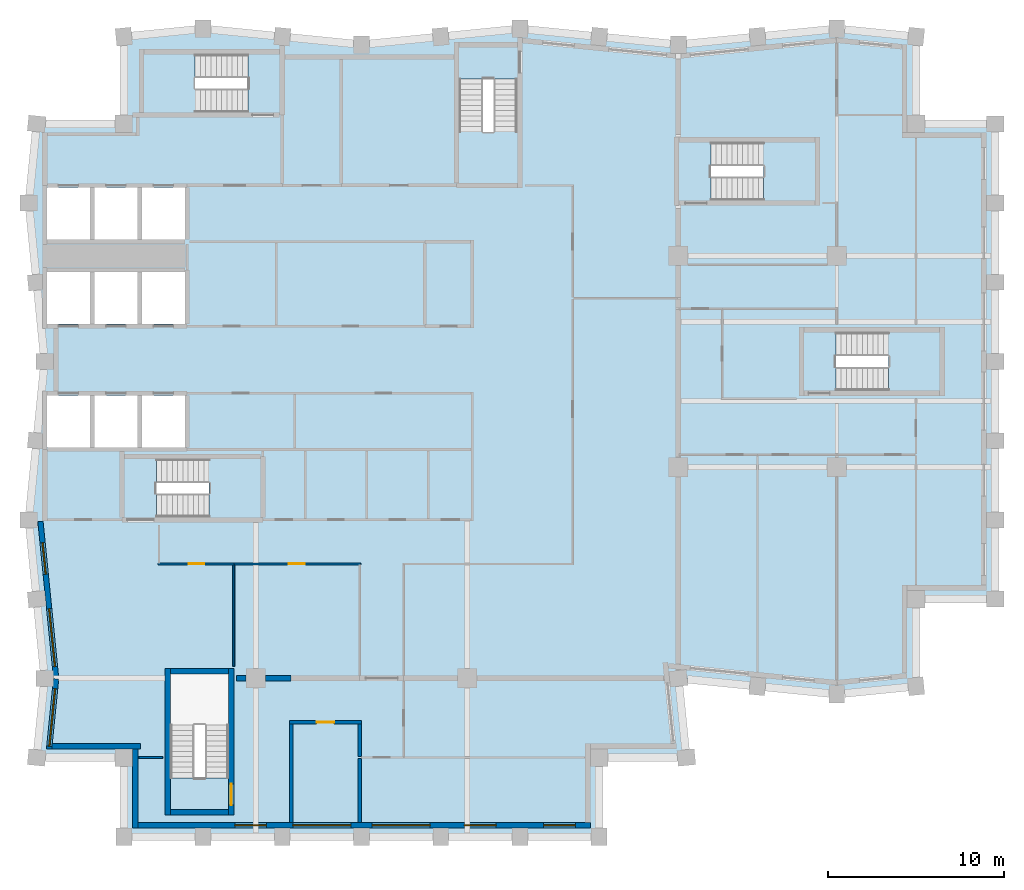
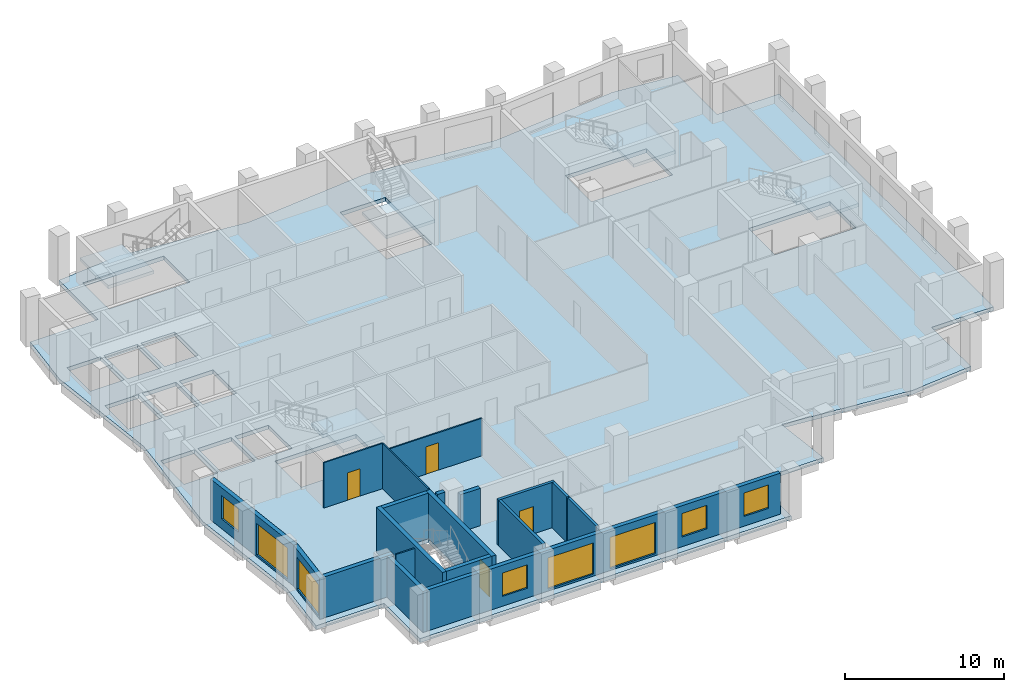
# One storey, part 2 of 8: 19 walls, 8 windows, 6 slabs, 4 doors, 12 openings, 5 elements without a shape of their own.
"""IFC4 building model written with IfcOpenShell, lengths in metres."""

from ifc_helpers import new_model, si_unit, direction, frame, frame_2d, origin, place, context, subcontext, project, spatial, polyline, rectangle, outline, extrude, material, layer, layer_set, type_object, element, fill, aggregate, save


model = new_model("IFC4")

# Units and contexts
model_context = context("Model", 3, precision=1e-05, world=origin(), true_north=direction((0.0, 1.0)))
body_context = subcontext(model_context, "Body", "Model", "MODEL_VIEW")
ifc_project = project(units=[si_unit("LENGTHUNIT", "METRE"), si_unit("AREAUNIT", "SQUARE_METRE"), si_unit("VOLUMEUNIT", "CUBIC_METRE"), si_unit("PLANEANGLEUNIT", "RADIAN"), si_unit("MASSUNIT", "GRAM", prefix="KILO")], contexts=[model_context])

# Site, building, storey
site_placement = place(None, origin())
site = spatial("IfcSite", under=ifc_project, at=site_placement, CompositionType="ELEMENT")
building_placement = place(site_placement, origin())
building = spatial("IfcBuilding", under=site, at=building_placement, Name="Brondeck Convention Tower", CompositionType="ELEMENT")
storey_placement = place(building_placement, frame((0.0, 0.0, 229.199951171875)))
storey = spatial("IfcBuildingStorey", under=building, at=storey_placement, Name="L56", CompositionType="ELEMENT", Elevation=229.199951171875)

# Slab
ifc_material_1 = material(Name="Concrete C35/45", Category="concrete")
ifc_layer_1 = layer(ifc_material_1, 0.300048828125)
ifc_layer_set_1 = layer_set([ifc_layer_1], Name="Composite floor slab 300")
slab_type_1 = type_object("IfcSlabType", Name="Composite floor slab 300", PredefinedType="FLOOR", material=ifc_layer_set_1)
slab_1_placement = place(storey_placement, frame((0.0, 0.0, -0.300048828125)))
element("IfcSlab", 1, at=slab_1_placement, inside=storey, type_object=slab_type_1, Name="STR-SL-L56", PredefinedType="FLOOR", context=body_context, shape_type="SweptSolid", body=[
    extrude(outline(polyline([(4.5, 22.5), (-0.449951171875, 22.5), (0.0, 27.0), (-0.89990234375, 36.0), (0.0, 45.0), (-0.89990234375, 54.0), (-0.449951171875, 58.5), (4.5, 58.5), (4.5, 63.449951171875), (9.0, 63.89990234375), (18.0, 63.0), (27.0, 63.89990234375), (36.0, 63.0), (45.0, 63.89990234375), (49.5, 63.449951171875), (49.5, 58.5), (54.0, 58.5), (54.0, 31.5), (49.5, 31.5), (49.5, 26.550048828125), (45.0, 26.10009765625), (36.0, 27.0), (36.449951171875, 22.5), (31.5, 22.5), (31.5, 18.0), (4.5, 18.0), (4.5, 22.5)]), holes=[polyline([(2.574951171875, 43.074951171875), (0.125, 43.074951171875), (0.125, 40.125), (2.574951171875, 40.125), (2.574951171875, 43.074951171875)]), polyline([(5.27490234375, 40.125), (5.27490234375, 43.074951171875), (2.824951171875, 43.074951171875), (2.824951171875, 40.125), (5.27490234375, 40.125)]), polyline([(7.97509765625, 40.125), (7.97509765625, 43.074951171875), (5.52490234375, 43.074951171875), (5.52490234375, 40.125), (7.97509765625, 40.125)]), polyline([(2.574951171875, 47.125), (2.574951171875, 50.074951171875), (0.125, 50.074951171875), (0.125, 47.125), (2.574951171875, 47.125)]), polyline([(5.27490234375, 47.125), (5.27490234375, 50.074951171875), (2.824951171875, 50.074951171875), (2.824951171875, 47.125), (5.27490234375, 47.125)]), polyline([(7.97509765625, 47.125), (7.97509765625, 50.074951171875), (5.52490234375, 50.074951171875), (5.52490234375, 47.125), (7.97509765625, 47.125)]), polyline([(2.574951171875, 51.925048828125), (2.574951171875, 54.875), (0.125, 54.875), (0.125, 51.925048828125), (2.574951171875, 51.925048828125)]), polyline([(5.27490234375, 51.925048828125), (5.27490234375, 54.875), (2.824951171875, 54.875), (2.824951171875, 51.925048828125), (5.27490234375, 51.925048828125)]), polyline([(10.447998046875, 27.248046875), (7.152099609375, 27.248046875), (7.152099609375, 21.35205078125), (10.447998046875, 21.35205078125), (10.447998046875, 27.248046875)]), polyline([(12.248046875, 36.152099609375), (12.248046875, 39.447998046875), (6.35205078125, 39.447998046875), (6.35205078125, 36.152099609375), (12.248046875, 36.152099609375)]), polyline([(50.847900390625, 43.35205078125), (50.847900390625, 46.64794921875), (44.951904296875, 46.64794921875), (44.951904296875, 43.35205078125), (50.847900390625, 43.35205078125)]), polyline([(7.97509765625, 51.925048828125), (7.97509765625, 54.875), (5.52490234375, 54.875), (5.52490234375, 51.925048828125), (7.97509765625, 51.925048828125)]), polyline([(43.748046875, 54.152099609375), (43.748046875, 57.447998046875), (37.85205078125, 57.447998046875), (37.85205078125, 54.152099609375), (43.748046875, 54.152099609375)]), polyline([(23.552001953125, 55.152099609375), (26.847900390625, 55.152099609375), (26.847900390625, 61.048095703125), (23.552001953125, 61.048095703125), (23.552001953125, 55.152099609375)]), polyline([(5.652099609375, 62.447998046875), (5.652099609375, 59.152099609375), (11.548095703125, 59.152099609375), (11.548095703125, 62.447998046875), (5.652099609375, 62.447998046875)])]), origin(), (0.0, 0.0, 1.0), 0.300048828125),
])

# Stair, slab
ifc_material_2 = material(Name="Precast concrete C50/60", Category="concrete")
stair_type = type_object("IfcStairType", Name="Core stair 22 risers 172.73 mm riser 300 mm going 1350 wide", PredefinedType="HALF_TURN_STAIR", material=ifc_material_2)
stair_1_placement = place(storey_placement, origin())
stair_1 = element("IfcStair", 2, at=stair_1_placement, inside=storey, type_object=stair_type, Name="ST-1 L56 stair", PredefinedType="HALF_TURN_STAIR")
ifc_layer_2 = layer(ifc_material_2, 0.25)
ifc_layer_set_2 = layer_set([ifc_layer_2], Name="Core stair landing 250 Precast concrete C50/60")
slab_type_2 = type_object("IfcSlabType", Name="Core stair landing 250 Precast concrete C50/60", PredefinedType="LANDING", material=ifc_layer_set_2)
slab_2_placement = place(storey_placement, frame((0.0, 0.0, 1.650146484375)))
slab_2 = element("IfcSlab", 3, at=slab_2_placement, type_object=slab_type_2, Name="ST-1 landing 1", PredefinedType="LANDING", context=body_context, shape_type="SweptSolid", body=[
    extrude(outline(polyline([(9.347900390625, 37.5), (9.35009765625, 37.5), (9.35009765625, 38.10009765625), (9.050048828125, 38.10009765625), (9.050048828125, 39.570068359375), (12.3701171875, 39.570068359375), (12.3701171875, 36.030029296875), (9.347900390625, 36.030029296875), (9.347900390625, 37.5)])), origin(), (0.0, 0.0, 1.0), 0.25),
])
aggregate(stair_1, [slab_2])

stair_2_placement = place(storey_placement, origin())
stair_2 = element("IfcStair", 4, at=stair_2_placement, inside=storey, type_object=stair_type, Name="ST-2 L56 stair", PredefinedType="HALF_TURN_STAIR")
slab_3_placement = place(storey_placement, frame((0.0, 0.0, 1.650146484375)))
slab_3 = element("IfcSlab", 5, at=slab_3_placement, type_object=slab_type_2, Name="ST-2 landing 1", PredefinedType="LANDING", context=body_context, shape_type="SweptSolid", body=[
    extrude(outline(polyline([(23.429931640625, 58.052001953125), (24.89990234375, 58.052001953125), (24.89990234375, 58.050048828125), (25.5, 58.050048828125), (25.5, 58.35009765625), (26.969970703125, 58.35009765625), (26.969970703125, 55.030029296875), (23.429931640625, 55.030029296875), (23.429931640625, 58.052001953125)])), origin(), (0.0, 0.0, 1.0), 0.25),
])
aggregate(stair_2, [slab_3])

stair_3_placement = place(storey_placement, origin())
stair_3 = element("IfcStair", 6, at=stair_3_placement, inside=storey, type_object=stair_type, Name="ST-3 L56 stair", PredefinedType="HALF_TURN_STAIR")
slab_4_placement = place(storey_placement, frame((0.0, 0.0, 1.650146484375)))
slab_4 = element("IfcSlab", 7, at=slab_4_placement, type_object=slab_type_2, Name="ST-3 landing 1", PredefinedType="LANDING", context=body_context, shape_type="SweptSolid", body=[
    extrude(outline(polyline([(8.85009765625, 60.5), (8.85009765625, 59.030029296875), (5.530029296875, 59.030029296875), (5.530029296875, 62.570068359375), (8.552001953125, 62.570068359375), (8.552001953125, 61.10009765625), (8.550048828125, 61.10009765625), (8.550048828125, 60.5), (8.85009765625, 60.5)])), origin(), (0.0, 0.0, 1.0), 0.25),
])
aggregate(stair_3, [slab_4])

stair_4_placement = place(storey_placement, origin())
stair_4 = element("IfcStair", 8, at=stair_4_placement, inside=storey, type_object=stair_type, Name="ST-AE L56 stair", PredefinedType="HALF_TURN_STAIR")
slab_5_placement = place(storey_placement, frame((0.0, 0.0, 1.650146484375)))
slab_5 = element("IfcSlab", 9, at=slab_5_placement, type_object=slab_type_2, Name="ST-AE landing 1", PredefinedType="LANDING", context=body_context, shape_type="SweptSolid", body=[
    extrude(outline(polyline([(40.847900390625, 55.5), (40.85009765625, 55.5), (40.85009765625, 56.10009765625), (40.550048828125, 56.10009765625), (40.550048828125, 57.570068359375), (43.8701171875, 57.570068359375), (43.8701171875, 54.030029296875), (40.847900390625, 54.030029296875), (40.847900390625, 55.5)])), origin(), (0.0, 0.0, 1.0), 0.25),
])
aggregate(stair_4, [slab_5])

stair_5_placement = place(storey_placement, origin())
stair_5 = element("IfcStair", 10, at=stair_5_placement, inside=storey, type_object=stair_type, Name="ST-AF L56 stair", PredefinedType="HALF_TURN_STAIR")
slab_6_placement = place(storey_placement, frame((0.0, 0.0, 1.650146484375)))
slab_6 = element("IfcSlab", 11, at=slab_6_placement, type_object=slab_type_2, Name="ST-AF landing 1", PredefinedType="LANDING", context=body_context, shape_type="SweptSolid", body=[
    extrude(outline(polyline([(47.947998046875, 44.699951171875), (47.949951171875, 44.699951171875), (47.949951171875, 45.300048828125), (47.64990234375, 45.300048828125), (47.64990234375, 46.77001953125), (50.969970703125, 46.77001953125), (50.969970703125, 43.22998046875), (47.947998046875, 43.22998046875), (47.947998046875, 44.699951171875)])), origin(), (0.0, 0.0, 1.0), 0.25),
])
aggregate(stair_5, [slab_6])

# Walls
ifc_material_3 = material(Name="Concrete compartment wall C30/37", Category="concrete")
ifc_layer_3 = layer(ifc_material_3, 0.300048828125)
ifc_layer_set_3 = layer_set([ifc_layer_3], Name="Compartment wall 300")
wall_type_1 = type_object("IfcWallType", Name="Compartment wall 300", PredefinedType="PARTITIONING", material=ifc_layer_set_3)
wall_1_placement = place(storey_placement, frame((10.89990234375, 27.0, 0.0), z_axis=(0.0, 0.0, 1.0), x_axis=(1.0, 0.0, 0.0)))
element("IfcWall", 12, at=wall_1_placement, inside=storey, type_object=wall_type_1, Name="FLR-L56-W013", PredefinedType="PARTITIONING", context=body_context, shape_type="SweptSolid", body=[
    extrude(rectangle(XDim=0.545166015625, YDim=0.300048828125, at=frame_2d((0.2724609375, 0.0))), origin(), (0.0, 0.0, 1.0), 3.47998046875),
])
wall_2_placement = place(storey_placement, frame((12.554931640625, 27.0, 0.0), z_axis=(0.0, 0.0, 1.0), x_axis=(1.0, 0.0, 0.0)))
element("IfcWall", 13, at=wall_2_placement, inside=storey, type_object=wall_type_1, Name="FLR-L56-W014", PredefinedType="PARTITIONING", context=body_context, shape_type="SweptSolid", body=[
    extrude(rectangle(XDim=1.445068359375, YDim=0.300048828125, at=frame_2d((0.72265625, 0.0))), origin(), (0.0, 0.0, 1.0), 2.880126953125),
])

# Wall, openings, windows
ifc_material_4 = material(Name="Precast concrete C50/60 bronze finish", Category="concrete")
ifc_layer_4 = layer(ifc_material_4, 0.070068359375, Name="Bronze precast facing")
ifc_material_5 = material(Name="Mineral wool")
ifc_layer_5 = layer(ifc_material_5, 0.159912109375, Name="Insulation")
ifc_layer_6 = layer(ifc_material_1, 0.070068359375, Name="Backing")
ifc_layer_set_4 = layer_set([ifc_layer_4, ifc_layer_5, ifc_layer_6], Name="External infill wall, precast concrete C50/60 bronze facing")
wall_type_2 = type_object("IfcWallType", Name="External infill wall, precast concrete C50/60 bronze facing", PredefinedType="SOLIDWALL", material=ifc_layer_set_4)
wall_3_placement = place(storey_placement, frame((31.0, 18.64990234375, 0.0), z_axis=(0.0, 0.0, 1.0), x_axis=(-1.0, 0.0, 0.0)))
wall_3 = element("IfcWall", 14, at=wall_3_placement, inside=storey, type_object=wall_type_2, Name="ENV-EW-L56-P2-B-S18-01", PredefinedType="SOLIDWALL", context=body_context, shape_type="SweptSolid", body=[
    extrude(rectangle(XDim=25.699951171875, YDim=0.300048828125, at=frame_2d((12.85009765625, 0.0))), origin(), (0.0, 0.0, 1.0), 3.150146484375),
])
opening_1_placement = place(wall_3_placement, frame((0.85009765625, 0.0, 0.75)))
opening_1 = element("IfcOpeningElement", 15, at=opening_1_placement, cuts=wall_3, Name="Opening W10", PredefinedType="OPENING", context=body_context, shape_type="SweptSolid", body=[
    extrude(rectangle(XDim=1.800048828125, YDim=1.800048828125, at=frame_2d((0.89990234375, 0.89990234375))), frame((0.0, 0.159912109375, 0.0), z_axis=(0.0, -1.0, 0.0), x_axis=(1.0, 0.0, 0.0)), (0.0, 0.0, 1.0), 0.320068359375),
])
opening_2_placement = place(wall_3_placement, frame((5.35009765625, 0.0, 0.75)))
opening_2 = element("IfcOpeningElement", 16, at=opening_2_placement, cuts=wall_3, Name="Opening W10", PredefinedType="OPENING", context=body_context, shape_type="SweptSolid", body=[
    extrude(rectangle(XDim=1.800048828125, YDim=1.800048828125, at=frame_2d((0.89990234375, 0.89990234375))), frame((0.0, 0.159912109375, 0.0), z_axis=(0.0, -1.0, 0.0), x_axis=(1.0, 0.0, 0.0)), (0.0, 0.0, 1.0), 0.320068359375),
])
opening_3_placement = place(wall_3_placement, frame((9.10009765625, 0.0, 0.14990234375)))
opening_3 = element("IfcOpeningElement", 17, at=opening_3_placement, cuts=wall_3, Name="Opening W9", PredefinedType="OPENING", context=body_context, shape_type="SweptSolid", body=[
    extrude(rectangle(XDim=3.300048828125, YDim=2.39990234375, at=frame_2d((1.64990234375, 1.199951171875))), frame((0.0, 0.159912109375, 0.0), z_axis=(0.0, -1.0, 0.0), x_axis=(1.0, 0.0, 0.0)), (0.0, 0.0, 1.0), 0.320068359375),
])
opening_4_placement = place(wall_3_placement, frame((13.60009765625, 0.0, 0.14990234375)))
opening_4 = element("IfcOpeningElement", 18, at=opening_4_placement, cuts=wall_3, Name="Opening W9", PredefinedType="OPENING", context=body_context, shape_type="SweptSolid", body=[
    extrude(rectangle(XDim=3.300048828125, YDim=2.39990234375, at=frame_2d((1.64990234375, 1.199951171875))), frame((0.0, 0.159912109375, 0.0), z_axis=(0.0, -1.0, 0.0), x_axis=(1.0, 0.0, 0.0)), (0.0, 0.0, 1.0), 0.320068359375),
])
opening_5_placement = place(wall_3_placement, frame((18.39990234375, 0.0, 0.75)))
opening_5 = element("IfcOpeningElement", 19, at=opening_5_placement, cuts=wall_3, Name="Opening W10", PredefinedType="OPENING", context=body_context, shape_type="SweptSolid", body=[
    extrude(rectangle(XDim=1.800048828125, YDim=1.800048828125, at=frame_2d((0.89990234375, 0.89990234375))), frame((0.0, 0.159912109375, 0.0), z_axis=(0.0, -1.0, 0.0), x_axis=(1.0, 0.0, 0.0)), (0.0, 0.0, 1.0), 0.320068359375),
])
ifc_material_6 = material(Name="Bronze tinted double glazing", Category="glass")
window_type_1 = type_object("IfcWindowType", Name="Glazed flute window, bronze tinted", PartitioningType="SINGLE_PANEL", PredefinedType="WINDOW", material=ifc_material_6)
window_1_placement = place(opening_3_placement, origin())
window_1 = element("IfcWindow", 20, at=window_1_placement, inside=storey, type_object=window_type_1, Name="ENV-WN-L56-P2-B-S18-04", OverallHeight=2.39990234375, OverallWidth=3.300048828125, PartitioningType="SINGLE_PANEL", PredefinedType="WINDOW", context=body_context, shape_type="SweptSolid", body=[
    extrude(rectangle(XDim=3.300048828125, YDim=2.39990234375, at=frame_2d((1.64990234375, 1.199951171875))), frame((0.0, 0.030029296875, 0.0), z_axis=(0.0, -1.0, 0.0), x_axis=(1.0, 0.0, 0.0)), (0.0, 0.0, 1.0), 0.06005859375),
])
fill(opening_3, window_1)
window_2_placement = place(opening_4_placement, origin())
window_2 = element("IfcWindow", 21, at=window_2_placement, inside=storey, type_object=window_type_1, Name="ENV-WN-L56-P2-B-S18-03", OverallHeight=2.39990234375, OverallWidth=3.300048828125, PartitioningType="SINGLE_PANEL", PredefinedType="WINDOW", context=body_context, shape_type="SweptSolid", body=[
    extrude(rectangle(XDim=3.300048828125, YDim=2.39990234375, at=frame_2d((1.64990234375, 1.199951171875))), frame((0.0, 0.030029296875, 0.0), z_axis=(0.0, -1.0, 0.0), x_axis=(1.0, 0.0, 0.0)), (0.0, 0.0, 1.0), 0.06005859375),
])
fill(opening_4, window_2)
window_type_2 = type_object("IfcWindowType", Name="Punched window, bronze tinted", PartitioningType="SINGLE_PANEL", PredefinedType="WINDOW", material=ifc_material_6)
window_3_placement = place(opening_1_placement, origin())
window_3 = element("IfcWindow", 22, at=window_3_placement, inside=storey, type_object=window_type_2, Name="ENV-WN-L56-P2-B-S18-06", OverallHeight=1.800048828125, OverallWidth=1.800048828125, PartitioningType="SINGLE_PANEL", PredefinedType="WINDOW", context=body_context, shape_type="SweptSolid", body=[
    extrude(rectangle(XDim=1.800048828125, YDim=1.800048828125, at=frame_2d((0.89990234375, 0.89990234375))), frame((0.0, 0.030029296875, 0.0), z_axis=(0.0, -1.0, 0.0), x_axis=(1.0, 0.0, 0.0)), (0.0, 0.0, 1.0), 0.06005859375),
])
fill(opening_1, window_3)
window_4_placement = place(opening_2_placement, origin())
window_4 = element("IfcWindow", 23, at=window_4_placement, inside=storey, type_object=window_type_2, Name="ENV-WN-L56-P2-B-S18-05", OverallHeight=1.800048828125, OverallWidth=1.800048828125, PartitioningType="SINGLE_PANEL", PredefinedType="WINDOW", context=body_context, shape_type="SweptSolid", body=[
    extrude(rectangle(XDim=1.800048828125, YDim=1.800048828125, at=frame_2d((0.89990234375, 0.89990234375))), frame((0.0, 0.030029296875, 0.0), z_axis=(0.0, -1.0, 0.0), x_axis=(1.0, 0.0, 0.0)), (0.0, 0.0, 1.0), 0.06005859375),
])
fill(opening_2, window_4)
window_5_placement = place(opening_5_placement, origin())
window_5 = element("IfcWindow", 24, at=window_5_placement, inside=storey, type_object=window_type_2, Name="ENV-WN-L56-P2-B-S18-02", OverallHeight=1.800048828125, OverallWidth=1.800048828125, PartitioningType="SINGLE_PANEL", PredefinedType="WINDOW", context=body_context, shape_type="SweptSolid", body=[
    extrude(rectangle(XDim=1.800048828125, YDim=1.800048828125, at=frame_2d((0.89990234375, 0.89990234375))), frame((0.0, 0.030029296875, 0.0), z_axis=(0.0, -1.0, 0.0), x_axis=(1.0, 0.0, 0.0)), (0.0, 0.0, 1.0), 0.06005859375),
])
fill(opening_5, window_5)

wall_4_placement = place(storey_placement, frame((0.65478515625, 26.985107421875, 0.0), z_axis=(0.0, 0.0, 1.0), x_axis=(-0.099509105781, 0.995036651519, 0.0)))
wall_4 = element("IfcWall", 25, at=wall_4_placement, inside=storey, type_object=wall_type_2, Name="ENV-EW-L56-P2-B-W-06", PredefinedType="SOLIDWALL", context=body_context, shape_type="SweptSolid", body=[
    extrude(rectangle(XDim=8.974609375, YDim=0.300048828125, at=frame_2d((4.4873046875, 0.0))), origin(), (0.0, 0.0, 1.0), 3.150146484375),
])
opening_6_placement = place(wall_4_placement, frame((0.691162109375, 0.0, 0.14990234375)))
opening_6 = element("IfcOpeningElement", 26, at=opening_6_placement, cuts=wall_4, Name="Opening W9", PredefinedType="OPENING", context=body_context, shape_type="SweptSolid", body=[
    extrude(rectangle(XDim=3.300048828125, YDim=2.39990234375, at=frame_2d((1.64990234375, 1.199951171875))), frame((0.0, 0.159912109375, 0.0), z_axis=(0.0, -1.0, 0.0), x_axis=(1.0, 0.0, 0.0)), (0.0, 0.0, 1.0), 0.320068359375),
])
opening_7_placement = place(wall_4_placement, frame((5.963623046875, 0.0, 0.75)))
opening_7 = element("IfcOpeningElement", 27, at=opening_7_placement, cuts=wall_4, Name="Opening W10", PredefinedType="OPENING", context=body_context, shape_type="SweptSolid", body=[
    extrude(rectangle(XDim=1.800048828125, YDim=1.800048828125, at=frame_2d((0.89990234375, 0.89990234375))), frame((0.0, 0.159912109375, 0.0), z_axis=(0.0, -1.0, 0.0), x_axis=(1.0, 0.0, 0.0)), (0.0, 0.0, 1.0), 0.320068359375),
])
window_6_placement = place(opening_6_placement, origin())
window_6 = element("IfcWindow", 28, at=window_6_placement, inside=storey, type_object=window_type_1, Name="ENV-WN-L56-P2-B-W-07", OverallHeight=2.39990234375, OverallWidth=3.300048828125, PartitioningType="SINGLE_PANEL", PredefinedType="WINDOW", context=body_context, shape_type="SweptSolid", body=[
    extrude(rectangle(XDim=3.300048828125, YDim=2.39990234375, at=frame_2d((1.64990234375, 1.199951171875))), frame((0.0, 0.030029296875, 0.0), z_axis=(0.0, -1.0, 0.0), x_axis=(1.0, 0.0, 0.0)), (0.0, 0.0, 1.0), 0.06005859375),
])
fill(opening_6, window_6)
window_7_placement = place(opening_7_placement, origin())
window_7 = element("IfcWindow", 29, at=window_7_placement, inside=storey, type_object=window_type_2, Name="ENV-WN-L56-P2-B-W-06", OverallHeight=1.800048828125, OverallWidth=1.800048828125, PartitioningType="SINGLE_PANEL", PredefinedType="WINDOW", context=body_context, shape_type="SweptSolid", body=[
    extrude(rectangle(XDim=1.800048828125, YDim=1.800048828125, at=frame_2d((0.89990234375, 0.89990234375))), frame((0.0, 0.030029296875, 0.0), z_axis=(0.0, -1.0, 0.0), x_axis=(1.0, 0.0, 0.0)), (0.0, 0.0, 1.0), 0.06005859375),
])
fill(opening_7, window_7)

# Wall, opening, window
wall_5_placement = place(storey_placement, frame((0.251708984375, 22.985107421875, 0.0), z_axis=(0.0, 0.0, 1.0), x_axis=(0.09954596771, 0.995032964435, 0.0)))
wall_5 = element("IfcWall", 30, at=wall_5_placement, inside=storey, type_object=wall_type_2, Name="ENV-EW-L56-P2-B-W-08", PredefinedType="SOLIDWALL", context=body_context, shape_type="SweptSolid", body=[
    extrude(rectangle(XDim=4.0048828125, YDim=0.300048828125, at=frame_2d((2.00244140625, 0.0))), origin(), (0.0, 0.0, 1.0), 3.150146484375),
])
opening_8_placement = place(wall_5_placement, frame((0.14990234375, 0.0, 0.14990234375)))
opening_8 = element("IfcOpeningElement", 31, at=opening_8_placement, cuts=wall_5, Name="Opening W9", PredefinedType="OPENING", context=body_context, shape_type="SweptSolid", body=[
    extrude(rectangle(XDim=3.300048828125, YDim=2.39990234375, at=frame_2d((1.64990234375, 1.199951171875))), frame((0.0, 0.159912109375, 0.0), z_axis=(0.0, -1.0, 0.0), x_axis=(1.0, 0.0, 0.0)), (0.0, 0.0, 1.0), 0.320068359375),
])
window_8_placement = place(opening_8_placement, origin())
window_8 = element("IfcWindow", 32, at=window_8_placement, inside=storey, type_object=window_type_1, Name="ENV-WN-L56-P2-B-W-08", OverallHeight=2.39990234375, OverallWidth=3.300048828125, PartitioningType="SINGLE_PANEL", PredefinedType="WINDOW", context=body_context, shape_type="SweptSolid", body=[
    extrude(rectangle(XDim=3.300048828125, YDim=2.39990234375, at=frame_2d((1.64990234375, 1.199951171875))), frame((0.0, 0.030029296875, 0.0), z_axis=(0.0, -1.0, 0.0), x_axis=(1.0, 0.0, 0.0)), (0.0, 0.0, 1.0), 0.06005859375),
])
fill(opening_8, window_8)

# Walls
wall_6_placement = place(storey_placement, frame((5.449951171875, 23.14990234375, 0.0), z_axis=(0.0, 0.0, 1.0), x_axis=(-1.0, 0.0, 0.0)))
element("IfcWall", 33, at=wall_6_placement, inside=storey, type_object=wall_type_2, Name="ENV-EW-L56-P2-NC-SWB18-01", PredefinedType="SOLIDWALL", context=body_context, shape_type="SweptSolid", body=[
    extrude(rectangle(XDim=5.025634765625, YDim=0.300048828125, at=frame_2d((2.5126953125, 0.0))), origin(), (0.0, 0.0, 1.0), 3.150146484375),
])
wall_7_placement = place(storey_placement, frame((5.14990234375, 18.5, 0.0), z_axis=(0.0, 0.0, 1.0), x_axis=(0.0, 1.0, 0.0)))
element("IfcWall", 34, at=wall_7_placement, inside=storey, type_object=wall_type_2, Name="ENV-EW-L56-P2-NC-SWB18-02", PredefinedType="SOLIDWALL", context=body_context, shape_type="SweptSolid", body=[
    extrude(rectangle(XDim=4.5, YDim=0.300048828125, at=frame_2d((2.25, 0.0))), origin(), (0.0, 0.0, 1.0), 3.150146484375),
])
ifc_material_7 = material(Name="Concrete block wall C16/20", Category="concrete")
ifc_layer_7 = layer(ifc_material_7, 0.199951171875)
ifc_layer_set_5 = layer_set([ifc_layer_7], Name="Plant room wall 200")
wall_type_3 = type_object("IfcWallType", Name="Plant room wall 200", PredefinedType="PARTITIONING", material=ifc_layer_set_5)
wall_8_placement = place(storey_placement, frame((17.89990234375, 22.449951171875, 0.0), z_axis=(0.0, 0.0, 1.0), x_axis=(0.0, -1.0, 0.0)))
element("IfcWall", 35, at=wall_8_placement, inside=storey, type_object=wall_type_3, Name="FLR-L56-W001", PredefinedType="PARTITIONING", context=body_context, shape_type="SweptSolid", body=[
    extrude(rectangle(XDim=3.6298828125, YDim=0.199951171875, at=frame_2d((1.81494140625, 0.0))), origin(), (0.0, 0.0, 1.0), 3.47998046875),
])
wall_9_placement = place(storey_placement, frame((17.89990234375, 22.550048828125, 0.0), z_axis=(0.0, 0.0, 1.0), x_axis=(0.0, 1.0, 0.0)))
element("IfcWall", 36, at=wall_9_placement, inside=storey, type_object=wall_type_3, Name="FLR-L56-W006", PredefinedType="PARTITIONING", context=body_context, shape_type="SweptSolid", body=[
    extrude(rectangle(XDim=1.849853515625, YDim=0.199951171875, at=frame_2d((0.9248046875, 0.0))), origin(), (0.0, 0.0, 1.0), 3.47998046875),
])
wall_10_placement = place(storey_placement, frame((14.0, 24.39990234375, 0.0), z_axis=(0.0, 0.0, 1.0), x_axis=(0.0, -1.0, 0.0)))
element("IfcWall", 37, at=wall_10_placement, inside=storey, type_object=wall_type_3, Name="FLR-L56-W009", PredefinedType="PARTITIONING", context=body_context, shape_type="SweptSolid", body=[
    extrude(rectangle(XDim=5.579833984375, YDim=0.199951171875, at=frame_2d((2.7900390625, 0.0))), origin(), (0.0, 0.0, 1.0), 3.47998046875),
])

# Wall, opening, door
wall_11_placement = place(storey_placement, frame((18.0, 24.5, 0.0), z_axis=(0.0, 0.0, 1.0), x_axis=(-1.0, 0.0, 0.0)))
wall_11 = element("IfcWall", 38, at=wall_11_placement, inside=storey, type_object=wall_type_3, Name="FLR-L56-W010", PredefinedType="PARTITIONING", context=body_context, shape_type="SweptSolid", body=[
    extrude(rectangle(XDim=4.10009765625, YDim=0.199951171875, at=frame_2d((2.050048828125, 0.0))), origin(), (0.0, 0.0, 1.0), 3.47998046875),
])
opening_9_placement = place(wall_11_placement, frame((1.550048828125, 0.0, 0.0)))
opening_9 = element("IfcOpeningElement", 39, at=opening_9_placement, cuts=wall_11, Name="Opening OF-M-002", PredefinedType="OPENING", context=body_context, shape_type="SweptSolid", body=[
    extrude(rectangle(XDim=1.0, YDim=2.10009765625, at=frame_2d((0.5, 1.050048828125))), frame((0.0, 0.10986328125, 0.0), z_axis=(0.0, -1.0, 0.0), x_axis=(1.0, 0.0, 0.0)), (0.0, 0.0, 1.0), 0.219970703125),
])
ifc_material_8 = material(Name="Steel fire door leaf", Category="steel")
door_type_1 = type_object("IfcDoorType", Name="Plant room door 1000", OperationType="NOTDEFINED", PredefinedType="DOOR", material=ifc_material_8)
door_1_placement = place(opening_9_placement, origin())
door_1 = element("IfcDoor", 40, at=door_1_placement, inside=storey, type_object=door_type_1, Name="Door OF-M-002", OperationType="SINGLE_SWING_RIGHT", OverallHeight=2.10009765625, OverallWidth=1.0, PredefinedType="DOOR", context=body_context, shape_type="SweptSolid", body=[
    extrude(rectangle(XDim=1.0, YDim=2.10009765625, at=frame_2d((0.5, 1.050048828125))), frame((0.0, 0.02490234375, 0.0), z_axis=(0.0, -1.0, 0.0), x_axis=(1.0, 0.0, 0.0)), (0.0, 0.0, 1.0), 0.050048828125),
])
fill(opening_9, door_1)

# Walls
ifc_material_9 = material(Name="Gypsum board partition on steel studs", Category="steel")
ifc_layer_8 = layer(ifc_material_9, 0.10009765625)
ifc_layer_set_6 = layer_set([ifc_layer_8], Name="Room partition 100")
wall_type_4 = type_object("IfcWallType", Name="Room partition 100", PredefinedType="PARTITIONING", material=ifc_layer_set_6)
wall_12_placement = place(storey_placement, frame((5.35009765625, 22.5, 0.0), z_axis=(0.0, 0.0, 1.0), x_axis=(1.0, 0.0, 0.0)))
element("IfcWall", 41, at=wall_12_placement, inside=storey, type_object=wall_type_4, Name="FLR-L56-W002", PredefinedType="PARTITIONING", context=body_context, shape_type="SweptSolid", body=[
    extrude(rectangle(XDim=1.349853515625, YDim=0.10009765625, at=frame_2d((0.6748046875, 0.0))), origin(), (0.0, 0.0, 1.0), 3.47998046875),
])
wall_13_placement = place(storey_placement, frame((10.748046875, 33.449951171875, 0.0), z_axis=(0.0, 0.0, 1.0), x_axis=(0.0, -1.0, 0.0)))
element("IfcWall", 42, at=wall_13_placement, inside=storey, type_object=wall_type_4, Name="FLR-L56-W024", PredefinedType="PARTITIONING", context=body_context, shape_type="SweptSolid", body=[
    extrude(rectangle(XDim=5.75, YDim=0.10009765625, at=frame_2d((2.875, 0.0))), origin(), (0.0, 0.0, 1.0), 3.47998046875),
])

# Wall, opening, door
wall_14_placement = place(storey_placement, frame((10.748046875, 33.5, 0.0), z_axis=(0.0, 0.0, 1.0), x_axis=(-1.0, 0.0, 0.0)))
wall_14 = element("IfcWall", 43, at=wall_14_placement, inside=storey, type_object=wall_type_4, Name="FLR-L56-W026", PredefinedType="PARTITIONING", context=body_context, shape_type="SweptSolid", body=[
    extrude(rectangle(XDim=4.298095703125, YDim=0.10009765625, at=frame_2d((2.14892578125, 0.0))), origin(), (0.0, 0.0, 1.0), 3.47998046875),
])
opening_10_placement = place(wall_14_placement, frame((1.674072265625, 0.0, 0.0)))
opening_10 = element("IfcOpeningElement", 44, at=opening_10_placement, cuts=wall_14, Name="Opening OF-M-011", PredefinedType="OPENING", context=body_context, shape_type="SweptSolid", body=[
    extrude(rectangle(XDim=0.89990234375, YDim=2.10009765625, at=frame_2d((0.449951171875, 1.050048828125))), frame((0.0, 0.06005859375, 0.0), z_axis=(0.0, -1.0, 0.0), x_axis=(1.0, 0.0, 0.0)), (0.0, 0.0, 1.0), 0.1201171875),
])
ifc_material_10 = material(Name="Solid timber door leaf", Category="wood")
door_type_2 = type_object("IfcDoorType", Name="Single door 900", OperationType="NOTDEFINED", PredefinedType="DOOR", material=ifc_material_10)
door_2_placement = place(opening_10_placement, origin())
door_2 = element("IfcDoor", 45, at=door_2_placement, inside=storey, type_object=door_type_2, Name="Door OF-M-011", OperationType="SINGLE_SWING_RIGHT", OverallHeight=2.10009765625, OverallWidth=0.89990234375, PredefinedType="DOOR", context=body_context, shape_type="SweptSolid", body=[
    extrude(rectangle(XDim=0.89990234375, YDim=2.10009765625, at=frame_2d((0.449951171875, 1.050048828125))), frame((0.0, 0.02490234375, 0.0), z_axis=(0.0, -1.0, 0.0), x_axis=(1.0, 0.0, 0.0)), (0.0, 0.0, 1.0), 0.050048828125),
])
fill(opening_10, door_2)

wall_15_placement = place(storey_placement, frame((17.949951171875, 33.5, 0.0), z_axis=(0.0, 0.0, 1.0), x_axis=(-1.0, 0.0, 0.0)))
wall_15 = element("IfcWall", 46, at=wall_15_placement, inside=storey, type_object=wall_type_4, Name="FLR-L56-W027", PredefinedType="PARTITIONING", context=body_context, shape_type="SweptSolid", body=[
    extrude(rectangle(XDim=7.201904296875, YDim=0.10009765625, at=frame_2d((3.60107421875, 0.0))), origin(), (0.0, 0.0, 1.0), 2.880126953125),
])
opening_11_placement = place(wall_15_placement, frame((3.176025390625, 0.0, 0.0)))
opening_11 = element("IfcOpeningElement", 47, at=opening_11_placement, cuts=wall_15, Name="Opening OF-M-012", PredefinedType="OPENING", context=body_context, shape_type="SweptSolid", body=[
    extrude(rectangle(XDim=0.89990234375, YDim=2.10009765625, at=frame_2d((0.449951171875, 1.050048828125))), frame((0.0, 0.06005859375, 0.0), z_axis=(0.0, -1.0, 0.0), x_axis=(1.0, 0.0, 0.0)), (0.0, 0.0, 1.0), 0.1201171875),
])
door_3_placement = place(opening_11_placement, origin())
door_3 = element("IfcDoor", 48, at=door_3_placement, inside=storey, type_object=door_type_2, Name="Door OF-M-012", OperationType="SINGLE_SWING_RIGHT", OverallHeight=2.10009765625, OverallWidth=0.89990234375, PredefinedType="DOOR", context=body_context, shape_type="SweptSolid", body=[
    extrude(rectangle(XDim=0.89990234375, YDim=2.10009765625, at=frame_2d((0.449951171875, 1.050048828125))), frame((0.0, 0.02490234375, 0.0), z_axis=(0.0, -1.0, 0.0), x_axis=(1.0, 0.0, 0.0)), (0.0, 0.0, 1.0), 0.050048828125),
])
fill(opening_11, door_3)

# Walls
ifc_material_11 = material(Name="Concrete C50/60", Category="concrete")
ifc_layer_9 = layer(ifc_material_11, 0.300048828125)
ifc_layer_set_7 = layer_set([ifc_layer_9], Name="Stair enclosure wall 300 Concrete C50/60")
wall_type_5 = type_object("IfcWallType", Name="Stair enclosure wall 300 Concrete C50/60", PredefinedType="SHEAR", material=ifc_layer_set_7)
for number, where, z_axis, x_axis, name in (
    (49, (7.14990234375, 19.39990234375, 0.0), (0.0, 0.0, 1.0), (1.0, 0.0, 0.0), "L56 core wall"),
    (50, (7.14990234375, 27.39990234375, 0.0), (0.0, 0.0, 1.0), (1.0, 0.0, 0.0), "L56 core wall"),
):
    element("IfcWall", number, at=place(storey_placement, frame(where, z_axis=z_axis, x_axis=x_axis)), inside=storey, type_object=wall_type_5, Name=name, PredefinedType="SHEAR", context=body_context, shape_type="SweptSolid", body=[
        extrude(rectangle(XDim=3.300048828125, YDim=0.300048828125, at=frame_2d((1.64990234375, 0.0))), origin(), (0.0, 0.0, 1.0), 3.5),
    ])
wall_16_placement = place(storey_placement, frame((7.0, 19.25, 0.0), z_axis=(0.0, 0.0, 1.0), x_axis=(0.0, 1.0, 0.0)))
element("IfcWall", 51, at=wall_16_placement, inside=storey, type_object=wall_type_5, Name="L56 core wall", PredefinedType="SHEAR", context=body_context, shape_type="SweptSolid", body=[
    extrude(rectangle(XDim=8.300048828125, YDim=0.300048828125, at=frame_2d((4.14990234375, 0.0))), origin(), (0.0, 0.0, 1.0), 3.5),
])

# Wall, opening, door
wall_17_placement = place(storey_placement, frame((10.60009765625, 19.25, 0.0), z_axis=(0.0, 0.0, 1.0), x_axis=(0.0, 1.0, 0.0)))
wall_17 = element("IfcWall", 52, at=wall_17_placement, inside=storey, type_object=wall_type_5, Name="L56 core wall", PredefinedType="SHEAR", context=body_context, shape_type="SweptSolid", body=[
    extrude(rectangle(XDim=8.300048828125, YDim=0.300048828125, at=frame_2d((4.14990234375, 0.0))), origin(), (0.0, 0.0, 1.0), 3.5),
])
opening_12_placement = place(wall_17_placement, frame((0.550048828125, 0.0, 0.0)))
opening_12 = element("IfcOpeningElement", 53, at=opening_12_placement, cuts=wall_17, Name="Opening C30-19", PredefinedType="OPENING", context=body_context, shape_type="SweptSolid", body=[
    extrude(rectangle(XDim=1.199951171875, YDim=2.199951171875, at=frame_2d((0.60009765625, 1.10009765625))), frame((0.0, 0.159912109375, 0.0), z_axis=(0.0, -1.0, 0.0), x_axis=(1.0, 0.0, 0.0)), (0.0, 0.0, 1.0), 0.320068359375),
])
ifc_material_12 = material(Name="Steel fire door", Category="steel")
door_type_3 = type_object("IfcDoorType", Name="Stair door 1200x2200 EI 90", OperationType="NOTDEFINED", PredefinedType="DOOR", material=ifc_material_12)
door_4_placement = place(opening_12_placement, origin())
door_4 = element("IfcDoor", 54, at=door_4_placement, inside=storey, type_object=door_type_3, Name="L56 Stair door ST-BE", OperationType="SINGLE_SWING_RIGHT", OverallHeight=2.199951171875, OverallWidth=1.199951171875, PredefinedType="DOOR", context=body_context, shape_type="SweptSolid", body=[
    extrude(rectangle(XDim=1.199951171875, YDim=2.199951171875, at=frame_2d((0.60009765625, 1.10009765625))), frame((0.0, 0.02490234375, 0.0), z_axis=(0.0, -1.0, 0.0), x_axis=(1.0, 0.0, 0.0)), (0.0, 0.0, 1.0), 0.050048828125),
])
fill(opening_12, door_4)

save(model, "model.ifc")
